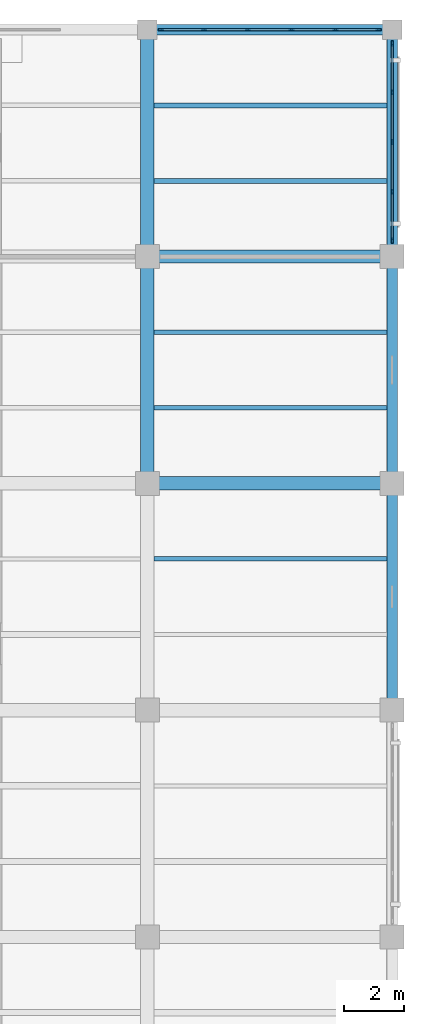
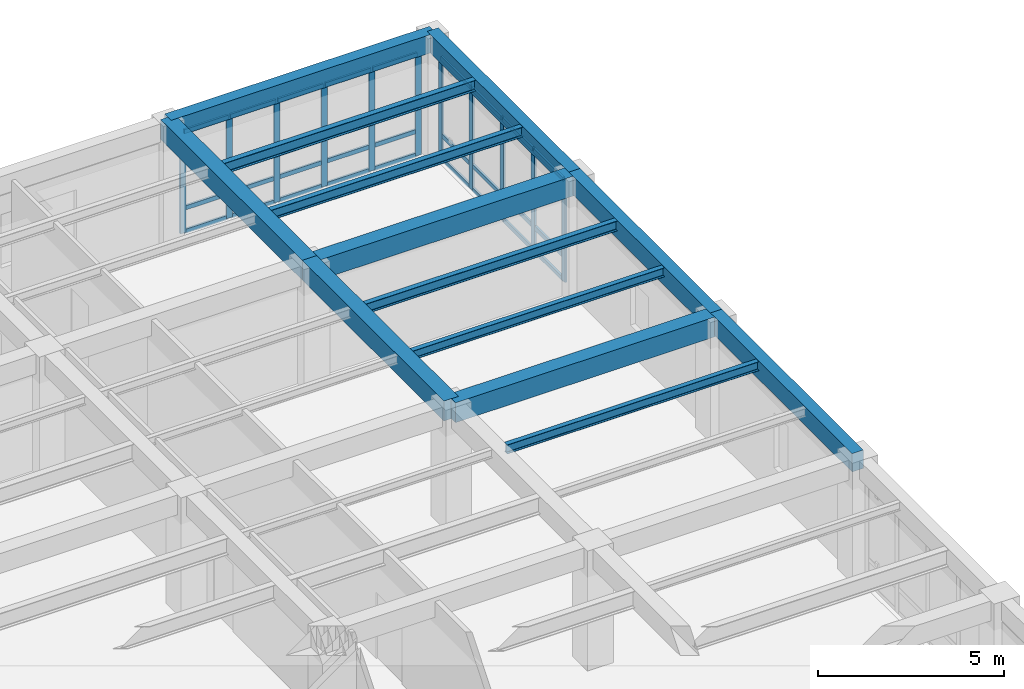
# One storey, part 5 of 14: 38 members, 13 beams, 2 elements without a shape of their own.
"""IFC4 building model written with IfcOpenShell, lengths in metres."""

from ifc_helpers import new_model, si_unit, direction, frame, origin, origin_2d, place, context, subcontext, project, spatial, rectangle, i_section, extrude, material, material_profile, profile_set, type_object, element, aggregate, save


model = new_model("IFC4")

# Units and contexts
model_context = context("Model", 3, precision=1e-05, world=origin(), true_north=direction((0.0, 1.0)))
body_context = subcontext(model_context, "Body", "Model", "MODEL_VIEW")
ifc_project = project(units=[si_unit("LENGTHUNIT", "METRE"), si_unit("AREAUNIT", "SQUARE_METRE"), si_unit("VOLUMEUNIT", "CUBIC_METRE"), si_unit("PLANEANGLEUNIT", "RADIAN"), si_unit("MASSUNIT", "GRAM", prefix="KILO")], contexts=[model_context])

# Site, building, storey
site_placement = place(None, origin())
site = spatial("IfcSite", under=ifc_project, at=site_placement, CompositionType="ELEMENT")
building_placement = place(site_placement, origin())
building = spatial("IfcBuilding", under=site, at=building_placement, Name="Qandaris Square Conservatory and Botanical Centre", CompositionType="ELEMENT")
storey_placement = place(building_placement, frame((0.0, 0.0, 40.800048828125)))
storey = spatial("IfcBuildingStorey", under=building, at=storey_placement, Name="L09", CompositionType="ELEMENT", Elevation=40.800048828125)

# Beams
ifc_material_1 = material(Name="Steel S355", Category="steel")
ifc_material_profile_1 = material_profile(ifc_material_1, i_section(OverallWidth=0.14990234375, OverallDepth=0.300048828125, WebThickness=0.007080078125, FlangeThickness=0.0107421875, FilletRadius=0.014892578125, at=origin_2d()), Name="IPE 300")
ifc_profile_set_1 = profile_set([ifc_material_profile_1], Name="Steel S355")
beam_type_1 = type_object("IfcBeamType", Name="Composite Lab Joist IPE 300", PredefinedType="JOIST", material=ifc_profile_set_1)
for number, where, z_axis, x_axis, name in (
    (1, (155.824951171875, 52.066650390625, 3.780029296875), (1.0, 0.0, 0.0), (0.0, 1.0, 0.0), "L09 Composite Joist 2427"),
    (2, (155.824951171875, 57.13330078125, 3.780029296875), (1.0, 0.0, 0.0), (0.0, 1.0, 0.0), "L09 Composite Joist 2428"),
):
    element("IfcBeam", number, at=place(storey_placement, frame(where, z_axis=z_axis, x_axis=x_axis)), inside=storey, type_object=beam_type_1, Name=name, PredefinedType="JOIST", context=body_context, shape_type="SweptSolid", body=[
        extrude(i_section(OverallWidth=0.14990234375, OverallDepth=0.300048828125, WebThickness=0.007080078125, FlangeThickness=0.0107421875, FilletRadius=0.014892578125, at=origin_2d()), origin(), (0.0, 0.0, 1.0), 7.800048828125),
    ])
ifc_material_profile_2 = material_profile(ifc_material_1, i_section(OverallWidth=0.159912109375, OverallDepth=0.330078125, WebThickness=0.007568359375, FlangeThickness=0.011474609375, FilletRadius=0.01806640625, at=origin_2d()), Name="IPE 330")
ifc_profile_set_2 = profile_set([ifc_material_profile_2], Name="Steel S355")
beam_type_2 = type_object("IfcBeamType", Name="Composite Lab Joist IPE 330", PredefinedType="JOIST", material=ifc_profile_set_2)
for number, where, z_axis, x_axis, name in (
    (3, (155.824951171875, 59.666748046875, 3.764892578125), (1.0, 0.0, 0.0), (0.0, 1.0, 0.0), "L09 Composite Joist 2429"),
    (4, (155.824951171875, 64.7333984375, 3.764892578125), (1.0, 0.0, 0.0), (0.0, 1.0, 0.0), "L09 Composite Joist 2430"),
):
    element("IfcBeam", number, at=place(storey_placement, frame(where, z_axis=z_axis, x_axis=x_axis)), inside=storey, type_object=beam_type_2, Name=name, PredefinedType="JOIST", context=body_context, shape_type="SweptSolid", body=[
        extrude(i_section(OverallWidth=0.159912109375, OverallDepth=0.330078125, WebThickness=0.007568359375, FlangeThickness=0.011474609375, FilletRadius=0.01806640625, at=origin_2d()), origin(), (0.0, 0.0, 1.0), 7.800048828125),
    ])
ifc_material_profile_3 = material_profile(ifc_material_1, i_section(OverallWidth=0.169921875, OverallDepth=0.360107421875, WebThickness=0.008056640625, FlangeThickness=0.0126953125, FilletRadius=0.01806640625, at=origin_2d()), Name="IPE 360")
ifc_profile_set_3 = profile_set([ifc_material_profile_3], Name="Steel S355")
beam_type_3 = type_object("IfcBeamType", Name="Composite Lab Joist IPE 360", PredefinedType="JOIST", material=ifc_profile_set_3)
beam_1_placement = place(storey_placement, frame((155.824951171875, 67.2666015625, 3.75), z_axis=(1.0, 0.0, 0.0), x_axis=(0.0, 1.0, 0.0)))
element("IfcBeam", 5, at=beam_1_placement, inside=storey, type_object=beam_type_3, Name="L09 Composite Joist 2431", PredefinedType="JOIST", context=body_context, shape_type="SweptSolid", body=[
    extrude(i_section(OverallWidth=0.169921875, OverallDepth=0.360107421875, WebThickness=0.008056640625, FlangeThickness=0.0126953125, FilletRadius=0.01806640625, at=origin_2d()), origin(), (0.0, 0.0, 1.0), 7.800048828125),
])

# Curtain wall, members
ifc_material_2 = material(Name="Anodised Aluminium", Category="aluminium")
curtain_wall_type_1 = type_object("IfcCurtainWallType", Name="Unitised Curtain Wall CW-4-667x334", PredefinedType="USERDEFINED", material=ifc_material_2)
curtain_wall_1_placement = place(storey_placement, origin())
curtain_wall_1 = element("IfcCurtainWall", 6, at=curtain_wall_1_placement, inside=storey, type_object=curtain_wall_type_1, Name="Curtain Wall CW-TWR-L09-2-7", ObjectType="GLAZED CURTAIN WALL", PredefinedType="USERDEFINED")
ifc_material_profile_4 = material_profile(ifc_material_2, rectangle(XDim=0.06494140625, YDim=0.179931640625, at=origin_2d()), Name="ALU-MUL 65x180")
ifc_profile_set_4 = profile_set([ifc_material_profile_4], Name="Anodised Aluminium")
member_type_1 = type_object("IfcMemberType", Name="Curtain Wall Mullion 65x180", PredefinedType="MULLION", material=ifc_profile_set_4)
member_1_placement = place(storey_placement, frame((163.800048828125, 62.732421875, 0.0), z_axis=(0.0, 0.0, 1.0), x_axis=(-1.0, 0.0, 0.0)))
member_1 = element("IfcMember", 7, at=member_1_placement, type_object=member_type_1, Name="CW-4-667x334 mullion 1", PredefinedType="MULLION", context=body_context, shape_type="SweptSolid", body=[
    extrude(rectangle(XDim=0.06494140625, YDim=0.179931640625, at=origin_2d()), origin(), (0.0, 0.0, 1.0), 3.33984375),
])
member_2_placement = place(storey_placement, frame((163.800048828125, 64.36865234375, 0.0), z_axis=(0.0, 0.0, 1.0), x_axis=(-1.0, 0.0, 0.0)))
member_2 = element("IfcMember", 8, at=member_2_placement, type_object=member_type_1, Name="CW-4-667x334 mullion 2", PredefinedType="MULLION", context=body_context, shape_type="SweptSolid", body=[
    extrude(rectangle(XDim=0.06494140625, YDim=0.179931640625, at=origin_2d()), origin(), (0.0, 0.0, 1.0), 3.33984375),
])
member_3_placement = place(storey_placement, frame((163.800048828125, 66.03759765625, 0.0), z_axis=(0.0, 0.0, 1.0), x_axis=(-1.0, 0.0, 0.0)))
member_3 = element("IfcMember", 9, at=member_3_placement, type_object=member_type_1, Name="CW-4-667x334 mullion 3", PredefinedType="MULLION", context=body_context, shape_type="SweptSolid", body=[
    extrude(rectangle(XDim=0.06494140625, YDim=0.179931640625, at=origin_2d()), origin(), (0.0, 0.0, 1.0), 3.33984375),
])
member_4_placement = place(storey_placement, frame((163.800048828125, 67.706298828125, 0.0), z_axis=(0.0, 0.0, 1.0), x_axis=(-1.0, 0.0, 0.0)))
member_4 = element("IfcMember", 10, at=member_4_placement, type_object=member_type_1, Name="CW-4-667x334 mullion 4", PredefinedType="MULLION", context=body_context, shape_type="SweptSolid", body=[
    extrude(rectangle(XDim=0.06494140625, YDim=0.179931640625, at=origin_2d()), origin(), (0.0, 0.0, 1.0), 3.33984375),
])
member_5_placement = place(storey_placement, frame((163.800048828125, 69.342529296875, 0.0), z_axis=(0.0, 0.0, 1.0), x_axis=(-1.0, 0.0, 0.0)))
member_5 = element("IfcMember", 11, at=member_5_placement, type_object=member_type_1, Name="CW-4-667x334 mullion 5", PredefinedType="MULLION", context=body_context, shape_type="SweptSolid", body=[
    extrude(rectangle(XDim=0.06494140625, YDim=0.179931640625, at=origin_2d()), origin(), (0.0, 0.0, 1.0), 3.33984375),
])

curtain_wall_type_2 = type_object("IfcCurtainWallType", Name="Unitised Curtain Wall CW-3-735x334", PredefinedType="USERDEFINED", material=ifc_material_2)
curtain_wall_2_placement = place(storey_placement, origin())
curtain_wall_2 = element("IfcCurtainWall", 12, at=curtain_wall_2_placement, inside=storey, type_object=curtain_wall_type_2, Name="Curtain Wall CW-TWR-L09-3-1", ObjectType="GLAZED CURTAIN WALL", PredefinedType="USERDEFINED")
member_6_placement = place(storey_placement, frame((163.342529296875, 69.800048828125, 0.0), z_axis=(0.0, 0.0, 1.0), x_axis=(0.0, -1.0, 0.0)))
member_6 = element("IfcMember", 13, at=member_6_placement, type_object=member_type_1, Name="CW-3-735x334 mullion 1", PredefinedType="MULLION", context=body_context, shape_type="SweptSolid", body=[
    extrude(rectangle(XDim=0.06494140625, YDim=0.179931640625, at=origin_2d()), origin(), (0.0, 0.0, 1.0), 3.33984375),
])
member_7_placement = place(storey_placement, frame((161.905029296875, 69.800048828125, 0.0), z_axis=(0.0, 0.0, 1.0), x_axis=(0.0, -1.0, 0.0)))
member_7 = element("IfcMember", 14, at=member_7_placement, type_object=member_type_1, Name="CW-3-735x334 mullion 2", PredefinedType="MULLION", context=body_context, shape_type="SweptSolid", body=[
    extrude(rectangle(XDim=0.06494140625, YDim=0.179931640625, at=origin_2d()), origin(), (0.0, 0.0, 1.0), 3.33984375),
])
member_8_placement = place(storey_placement, frame((160.43505859375, 69.800048828125, 0.0), z_axis=(0.0, 0.0, 1.0), x_axis=(0.0, -1.0, 0.0)))
member_8 = element("IfcMember", 15, at=member_8_placement, type_object=member_type_1, Name="CW-3-735x334 mullion 3", PredefinedType="MULLION", context=body_context, shape_type="SweptSolid", body=[
    extrude(rectangle(XDim=0.06494140625, YDim=0.179931640625, at=origin_2d()), origin(), (0.0, 0.0, 1.0), 3.33984375),
])
member_9_placement = place(storey_placement, frame((158.965087890625, 69.800048828125, 0.0), z_axis=(0.0, 0.0, 1.0), x_axis=(0.0, -1.0, 0.0)))
member_9 = element("IfcMember", 16, at=member_9_placement, type_object=member_type_1, Name="CW-3-735x334 mullion 4", PredefinedType="MULLION", context=body_context, shape_type="SweptSolid", body=[
    extrude(rectangle(XDim=0.06494140625, YDim=0.179931640625, at=origin_2d()), origin(), (0.0, 0.0, 1.0), 3.33984375),
])
member_10_placement = place(storey_placement, frame((157.4951171875, 69.800048828125, 0.0), z_axis=(0.0, 0.0, 1.0), x_axis=(0.0, -1.0, 0.0)))
member_10 = element("IfcMember", 17, at=member_10_placement, type_object=member_type_1, Name="CW-3-735x334 mullion 5", PredefinedType="MULLION", context=body_context, shape_type="SweptSolid", body=[
    extrude(rectangle(XDim=0.06494140625, YDim=0.179931640625, at=origin_2d()), origin(), (0.0, 0.0, 1.0), 3.33984375),
])
member_11_placement = place(storey_placement, frame((156.0576171875, 69.800048828125, 0.0), z_axis=(0.0, 0.0, 1.0), x_axis=(0.0, -1.0, 0.0)))
member_11 = element("IfcMember", 18, at=member_11_placement, type_object=member_type_1, Name="CW-3-735x334 mullion 6", PredefinedType="MULLION", context=body_context, shape_type="SweptSolid", body=[
    extrude(rectangle(XDim=0.06494140625, YDim=0.179931640625, at=origin_2d()), origin(), (0.0, 0.0, 1.0), 3.33984375),
])

# Member
ifc_material_profile_5 = material_profile(ifc_material_2, rectangle(XDim=0.06494140625, YDim=0.139892578125, at=origin_2d()), Name="ALU-TRN 65x140")
ifc_profile_set_5 = profile_set([ifc_material_profile_5], Name="Anodised Aluminium")
member_type_2 = type_object("IfcMemberType", Name="Curtain Wall Transom 65x140", PredefinedType="USERDEFINED", material=ifc_profile_set_5)
member_12_placement = place(storey_placement, frame((163.800048828125, 62.764892578125, 0.032470703125), z_axis=(0.0, 1.0, 0.0), x_axis=(-1.0, 0.0, 0.0)))
member_12 = element("IfcMember", 19, at=member_12_placement, type_object=member_type_2, Name="CW-4-667x334 transom 1.1", ObjectType="TRANSOM", PredefinedType="USERDEFINED", context=body_context, shape_type="SweptSolid", body=[
    extrude(rectangle(XDim=0.06494140625, YDim=0.139892578125, at=origin_2d()), origin(), (0.0, 0.0, 1.0), 1.5712890625),
])

member_13_placement = place(storey_placement, frame((163.800048828125, 62.764892578125, 0.801513671875), z_axis=(0.0, 1.0, 0.0), x_axis=(-1.0, 0.0, 0.0)))
member_13 = element("IfcMember", 20, at=member_13_placement, type_object=member_type_2, Name="CW-4-667x334 transom 1.2", ObjectType="TRANSOM", PredefinedType="USERDEFINED", context=body_context, shape_type="SweptSolid", body=[
    extrude(rectangle(XDim=0.06494140625, YDim=0.139892578125, at=origin_2d()), origin(), (0.0, 0.0, 1.0), 1.5712890625),
])

member_14_placement = place(storey_placement, frame((163.800048828125, 62.764892578125, 3.307373046875), z_axis=(0.0, 1.0, 0.0), x_axis=(-1.0, 0.0, 0.0)))
member_14 = element("IfcMember", 21, at=member_14_placement, type_object=member_type_2, Name="CW-4-667x334 transom 1.3", ObjectType="TRANSOM", PredefinedType="USERDEFINED", context=body_context, shape_type="SweptSolid", body=[
    extrude(rectangle(XDim=0.06494140625, YDim=0.139892578125, at=origin_2d()), origin(), (0.0, 0.0, 1.0), 1.5712890625),
])

member_15_placement = place(storey_placement, frame((163.800048828125, 64.4013671875, 0.032470703125), z_axis=(0.0, 1.0, 0.0), x_axis=(-1.0, 0.0, 0.0)))
member_15 = element("IfcMember", 22, at=member_15_placement, type_object=member_type_2, Name="CW-4-667x334 transom 2.1", ObjectType="TRANSOM", PredefinedType="USERDEFINED", context=body_context, shape_type="SweptSolid", body=[
    extrude(rectangle(XDim=0.06494140625, YDim=0.139892578125, at=origin_2d()), origin(), (0.0, 0.0, 1.0), 1.603515625),
])

member_16_placement = place(storey_placement, frame((163.800048828125, 64.4013671875, 0.801513671875), z_axis=(0.0, 1.0, 0.0), x_axis=(-1.0, 0.0, 0.0)))
member_16 = element("IfcMember", 23, at=member_16_placement, type_object=member_type_2, Name="CW-4-667x334 transom 2.2", ObjectType="TRANSOM", PredefinedType="USERDEFINED", context=body_context, shape_type="SweptSolid", body=[
    extrude(rectangle(XDim=0.06494140625, YDim=0.139892578125, at=origin_2d()), origin(), (0.0, 0.0, 1.0), 1.603515625),
])

member_17_placement = place(storey_placement, frame((163.800048828125, 64.4013671875, 3.307373046875), z_axis=(0.0, 1.0, 0.0), x_axis=(-1.0, 0.0, 0.0)))
member_17 = element("IfcMember", 24, at=member_17_placement, type_object=member_type_2, Name="CW-4-667x334 transom 2.3", ObjectType="TRANSOM", PredefinedType="USERDEFINED", context=body_context, shape_type="SweptSolid", body=[
    extrude(rectangle(XDim=0.06494140625, YDim=0.139892578125, at=origin_2d()), origin(), (0.0, 0.0, 1.0), 1.603515625),
])

member_18_placement = place(storey_placement, frame((163.800048828125, 66.070068359375, 0.032470703125), z_axis=(0.0, 1.0, 0.0), x_axis=(-1.0, 0.0, 0.0)))
member_18 = element("IfcMember", 25, at=member_18_placement, type_object=member_type_2, Name="CW-4-667x334 transom 3.1", ObjectType="TRANSOM", PredefinedType="USERDEFINED", context=body_context, shape_type="SweptSolid", body=[
    extrude(rectangle(XDim=0.06494140625, YDim=0.139892578125, at=origin_2d()), origin(), (0.0, 0.0, 1.0), 1.603759765625),
])

member_19_placement = place(storey_placement, frame((163.800048828125, 66.070068359375, 0.801513671875), z_axis=(0.0, 1.0, 0.0), x_axis=(-1.0, 0.0, 0.0)))
member_19 = element("IfcMember", 26, at=member_19_placement, type_object=member_type_2, Name="CW-4-667x334 transom 3.2", ObjectType="TRANSOM", PredefinedType="USERDEFINED", context=body_context, shape_type="SweptSolid", body=[
    extrude(rectangle(XDim=0.06494140625, YDim=0.139892578125, at=origin_2d()), origin(), (0.0, 0.0, 1.0), 1.603759765625),
])

member_20_placement = place(storey_placement, frame((163.800048828125, 66.070068359375, 3.307373046875), z_axis=(0.0, 1.0, 0.0), x_axis=(-1.0, 0.0, 0.0)))
member_20 = element("IfcMember", 27, at=member_20_placement, type_object=member_type_2, Name="CW-4-667x334 transom 3.3", ObjectType="TRANSOM", PredefinedType="USERDEFINED", context=body_context, shape_type="SweptSolid", body=[
    extrude(rectangle(XDim=0.06494140625, YDim=0.139892578125, at=origin_2d()), origin(), (0.0, 0.0, 1.0), 1.603759765625),
])

member_21_placement = place(storey_placement, frame((163.800048828125, 67.73876953125, 0.032470703125), z_axis=(0.0, 1.0, 0.0), x_axis=(-1.0, 0.0, 0.0)))
member_21 = element("IfcMember", 28, at=member_21_placement, type_object=member_type_2, Name="CW-4-667x334 transom 4.1", ObjectType="TRANSOM", PredefinedType="USERDEFINED", context=body_context, shape_type="SweptSolid", body=[
    extrude(rectangle(XDim=0.06494140625, YDim=0.139892578125, at=origin_2d()), origin(), (0.0, 0.0, 1.0), 1.5712890625),
])

member_22_placement = place(storey_placement, frame((163.800048828125, 67.73876953125, 0.801513671875), z_axis=(0.0, 1.0, 0.0), x_axis=(-1.0, 0.0, 0.0)))
member_22 = element("IfcMember", 29, at=member_22_placement, type_object=member_type_2, Name="CW-4-667x334 transom 4.2", ObjectType="TRANSOM", PredefinedType="USERDEFINED", context=body_context, shape_type="SweptSolid", body=[
    extrude(rectangle(XDim=0.06494140625, YDim=0.139892578125, at=origin_2d()), origin(), (0.0, 0.0, 1.0), 1.5712890625),
])

member_23_placement = place(storey_placement, frame((163.800048828125, 67.73876953125, 3.307373046875), z_axis=(0.0, 1.0, 0.0), x_axis=(-1.0, 0.0, 0.0)))
member_23 = element("IfcMember", 30, at=member_23_placement, type_object=member_type_2, Name="CW-4-667x334 transom 4.3", ObjectType="TRANSOM", PredefinedType="USERDEFINED", context=body_context, shape_type="SweptSolid", body=[
    extrude(rectangle(XDim=0.06494140625, YDim=0.139892578125, at=origin_2d()), origin(), (0.0, 0.0, 1.0), 1.5712890625),
])

aggregate(curtain_wall_1, [member_1, member_2, member_3, member_4, member_5, member_12, member_13, member_14, member_15, member_16, member_17, member_18, member_19, member_20, member_21, member_22, member_23])

member_24_placement = place(storey_placement, frame((163.31005859375, 69.800048828125, 0.032470703125), z_axis=(-1.0, 0.0, 0.0), x_axis=(0.0, -1.0, 0.0)))
member_24 = element("IfcMember", 31, at=member_24_placement, type_object=member_type_2, Name="CW-3-735x334 transom 1.1", ObjectType="TRANSOM", PredefinedType="USERDEFINED", context=body_context, shape_type="SweptSolid", body=[
    extrude(rectangle(XDim=0.06494140625, YDim=0.139892578125, at=origin_2d()), origin(), (0.0, 0.0, 1.0), 1.37255859375),
])

member_25_placement = place(storey_placement, frame((163.31005859375, 69.800048828125, 0.801513671875), z_axis=(-1.0, 0.0, 0.0), x_axis=(0.0, -1.0, 0.0)))
member_25 = element("IfcMember", 32, at=member_25_placement, type_object=member_type_2, Name="CW-3-735x334 transom 1.2", ObjectType="TRANSOM", PredefinedType="USERDEFINED", context=body_context, shape_type="SweptSolid", body=[
    extrude(rectangle(XDim=0.06494140625, YDim=0.139892578125, at=origin_2d()), origin(), (0.0, 0.0, 1.0), 1.37255859375),
])

member_26_placement = place(storey_placement, frame((163.31005859375, 69.800048828125, 3.307373046875), z_axis=(-1.0, 0.0, 0.0), x_axis=(0.0, -1.0, 0.0)))
member_26 = element("IfcMember", 33, at=member_26_placement, type_object=member_type_2, Name="CW-3-735x334 transom 1.3", ObjectType="TRANSOM", PredefinedType="USERDEFINED", context=body_context, shape_type="SweptSolid", body=[
    extrude(rectangle(XDim=0.06494140625, YDim=0.139892578125, at=origin_2d()), origin(), (0.0, 0.0, 1.0), 1.37255859375),
])

member_27_placement = place(storey_placement, frame((161.87255859375, 69.800048828125, 0.032470703125), z_axis=(-1.0, 0.0, 0.0), x_axis=(0.0, -1.0, 0.0)))
member_27 = element("IfcMember", 34, at=member_27_placement, type_object=member_type_2, Name="CW-3-735x334 transom 2.1", ObjectType="TRANSOM", PredefinedType="USERDEFINED", context=body_context, shape_type="SweptSolid", body=[
    extrude(rectangle(XDim=0.06494140625, YDim=0.139892578125, at=origin_2d()), origin(), (0.0, 0.0, 1.0), 1.405029296875),
])

member_28_placement = place(storey_placement, frame((161.87255859375, 69.800048828125, 0.801513671875), z_axis=(-1.0, 0.0, 0.0), x_axis=(0.0, -1.0, 0.0)))
member_28 = element("IfcMember", 35, at=member_28_placement, type_object=member_type_2, Name="CW-3-735x334 transom 2.2", ObjectType="TRANSOM", PredefinedType="USERDEFINED", context=body_context, shape_type="SweptSolid", body=[
    extrude(rectangle(XDim=0.06494140625, YDim=0.139892578125, at=origin_2d()), origin(), (0.0, 0.0, 1.0), 1.405029296875),
])

member_29_placement = place(storey_placement, frame((161.87255859375, 69.800048828125, 3.307373046875), z_axis=(-1.0, 0.0, 0.0), x_axis=(0.0, -1.0, 0.0)))
member_29 = element("IfcMember", 36, at=member_29_placement, type_object=member_type_2, Name="CW-3-735x334 transom 2.3", ObjectType="TRANSOM", PredefinedType="USERDEFINED", context=body_context, shape_type="SweptSolid", body=[
    extrude(rectangle(XDim=0.06494140625, YDim=0.139892578125, at=origin_2d()), origin(), (0.0, 0.0, 1.0), 1.405029296875),
])

member_30_placement = place(storey_placement, frame((160.402587890625, 69.800048828125, 0.032470703125), z_axis=(-1.0, 0.0, 0.0), x_axis=(0.0, -1.0, 0.0)))
member_30 = element("IfcMember", 37, at=member_30_placement, type_object=member_type_2, Name="CW-3-735x334 transom 3.1", ObjectType="TRANSOM", PredefinedType="USERDEFINED", context=body_context, shape_type="SweptSolid", body=[
    extrude(rectangle(XDim=0.06494140625, YDim=0.139892578125, at=origin_2d()), origin(), (0.0, 0.0, 1.0), 1.405029296875),
])

member_31_placement = place(storey_placement, frame((160.402587890625, 69.800048828125, 0.801513671875), z_axis=(-1.0, 0.0, 0.0), x_axis=(0.0, -1.0, 0.0)))
member_31 = element("IfcMember", 38, at=member_31_placement, type_object=member_type_2, Name="CW-3-735x334 transom 3.2", ObjectType="TRANSOM", PredefinedType="USERDEFINED", context=body_context, shape_type="SweptSolid", body=[
    extrude(rectangle(XDim=0.06494140625, YDim=0.139892578125, at=origin_2d()), origin(), (0.0, 0.0, 1.0), 1.405029296875),
])

member_32_placement = place(storey_placement, frame((160.402587890625, 69.800048828125, 3.307373046875), z_axis=(-1.0, 0.0, 0.0), x_axis=(0.0, -1.0, 0.0)))
member_32 = element("IfcMember", 39, at=member_32_placement, type_object=member_type_2, Name="CW-3-735x334 transom 3.3", ObjectType="TRANSOM", PredefinedType="USERDEFINED", context=body_context, shape_type="SweptSolid", body=[
    extrude(rectangle(XDim=0.06494140625, YDim=0.139892578125, at=origin_2d()), origin(), (0.0, 0.0, 1.0), 1.405029296875),
])

member_33_placement = place(storey_placement, frame((158.9326171875, 69.800048828125, 0.032470703125), z_axis=(-1.0, 0.0, 0.0), x_axis=(0.0, -1.0, 0.0)))
member_33 = element("IfcMember", 40, at=member_33_placement, type_object=member_type_2, Name="CW-3-735x334 transom 4.1", ObjectType="TRANSOM", PredefinedType="USERDEFINED", context=body_context, shape_type="SweptSolid", body=[
    extrude(rectangle(XDim=0.06494140625, YDim=0.139892578125, at=origin_2d()), origin(), (0.0, 0.0, 1.0), 1.405029296875),
])

member_34_placement = place(storey_placement, frame((158.9326171875, 69.800048828125, 0.801513671875), z_axis=(-1.0, 0.0, 0.0), x_axis=(0.0, -1.0, 0.0)))
member_34 = element("IfcMember", 41, at=member_34_placement, type_object=member_type_2, Name="CW-3-735x334 transom 4.2", ObjectType="TRANSOM", PredefinedType="USERDEFINED", context=body_context, shape_type="SweptSolid", body=[
    extrude(rectangle(XDim=0.06494140625, YDim=0.139892578125, at=origin_2d()), origin(), (0.0, 0.0, 1.0), 1.405029296875),
])

member_35_placement = place(storey_placement, frame((158.9326171875, 69.800048828125, 3.307373046875), z_axis=(-1.0, 0.0, 0.0), x_axis=(0.0, -1.0, 0.0)))
member_35 = element("IfcMember", 42, at=member_35_placement, type_object=member_type_2, Name="CW-3-735x334 transom 4.3", ObjectType="TRANSOM", PredefinedType="USERDEFINED", context=body_context, shape_type="SweptSolid", body=[
    extrude(rectangle(XDim=0.06494140625, YDim=0.139892578125, at=origin_2d()), origin(), (0.0, 0.0, 1.0), 1.405029296875),
])

member_36_placement = place(storey_placement, frame((157.46240234375, 69.800048828125, 0.032470703125), z_axis=(-1.0, 0.0, 0.0), x_axis=(0.0, -1.0, 0.0)))
member_36 = element("IfcMember", 43, at=member_36_placement, type_object=member_type_2, Name="CW-3-735x334 transom 5.1", ObjectType="TRANSOM", PredefinedType="USERDEFINED", context=body_context, shape_type="SweptSolid", body=[
    extrude(rectangle(XDim=0.06494140625, YDim=0.139892578125, at=origin_2d()), origin(), (0.0, 0.0, 1.0), 1.372314453125),
])

member_37_placement = place(storey_placement, frame((157.46240234375, 69.800048828125, 0.801513671875), z_axis=(-1.0, 0.0, 0.0), x_axis=(0.0, -1.0, 0.0)))
member_37 = element("IfcMember", 44, at=member_37_placement, type_object=member_type_2, Name="CW-3-735x334 transom 5.2", ObjectType="TRANSOM", PredefinedType="USERDEFINED", context=body_context, shape_type="SweptSolid", body=[
    extrude(rectangle(XDim=0.06494140625, YDim=0.139892578125, at=origin_2d()), origin(), (0.0, 0.0, 1.0), 1.372314453125),
])

member_38_placement = place(storey_placement, frame((157.46240234375, 69.800048828125, 3.307373046875), z_axis=(-1.0, 0.0, 0.0), x_axis=(0.0, -1.0, 0.0)))
member_38 = element("IfcMember", 45, at=member_38_placement, type_object=member_type_2, Name="CW-3-735x334 transom 5.3", ObjectType="TRANSOM", PredefinedType="USERDEFINED", context=body_context, shape_type="SweptSolid", body=[
    extrude(rectangle(XDim=0.06494140625, YDim=0.139892578125, at=origin_2d()), origin(), (0.0, 0.0, 1.0), 1.372314453125),
])

aggregate(curtain_wall_2, [member_6, member_7, member_8, member_9, member_10, member_11, member_24, member_25, member_26, member_27, member_28, member_29, member_30, member_31, member_32, member_33, member_34, member_35, member_36, member_37, member_38])

# Beams
ifc_material_3 = material(Name="Concrete C50/60", Category="concrete")
ifc_material_profile_6 = material_profile(ifc_material_3, rectangle(XDim=0.35009765625, YDim=0.60009765625, at=origin_2d()), Name="RC-SP 350x600")
ifc_profile_set_6 = profile_set([ifc_material_profile_6], Name="Concrete C50/60")
beam_type_4 = type_object("IfcBeamType", Name="RC Edge Spandrel Beam 350x600", PredefinedType="SPANDREL", material=ifc_profile_set_6)
beam_2_placement = place(storey_placement, frame((155.60009765625, 69.800048828125, 3.639892578125), z_axis=(1.0, 0.0, 0.0), x_axis=(0.0, 1.0, 0.0)))
element("IfcBeam", 46, at=beam_2_placement, inside=storey, type_object=beam_type_4, Name="L09 Frame Beam 2351", PredefinedType="SPANDREL", context=body_context, shape_type="SweptSolid", body=[
    extrude(rectangle(XDim=0.35009765625, YDim=0.60009765625, at=origin_2d()), origin(), (0.0, 0.0, 1.0), 8.199951171875),
])
beam_3_placement = place(storey_placement, frame((163.800048828125, 47.0, 3.639892578125), z_axis=(0.0, 1.0, 0.0), x_axis=(-1.0, 0.0, 0.0)))
element("IfcBeam", 47, at=beam_3_placement, inside=storey, type_object=beam_type_4, Name="L09 Frame Beam 2383", PredefinedType="SPANDREL", context=body_context, shape_type="SweptSolid", body=[
    extrude(rectangle(XDim=0.35009765625, YDim=0.60009765625, at=origin_2d()), origin(), (0.0, 0.0, 1.0), 7.60009765625),
])
beam_4_placement = place(storey_placement, frame((163.800048828125, 54.60009765625, 3.639892578125), z_axis=(0.0, 1.0, 0.0), x_axis=(-1.0, 0.0, 0.0)))
element("IfcBeam", 48, at=beam_4_placement, inside=storey, type_object=beam_type_4, Name="L09 Frame Beam 2384", PredefinedType="SPANDREL", context=body_context, shape_type="SweptSolid", body=[
    extrude(rectangle(XDim=0.35009765625, YDim=0.60009765625, at=origin_2d()), origin(), (0.0, 0.0, 1.0), 7.599853515625),
])
beam_5_placement = place(storey_placement, frame((163.800048828125, 62.199951171875, 3.639892578125), z_axis=(0.0, 1.0, 0.0), x_axis=(-1.0, 0.0, 0.0)))
element("IfcBeam", 49, at=beam_5_placement, inside=storey, type_object=beam_type_4, Name="L09 Frame Beam 2385", PredefinedType="SPANDREL", context=body_context, shape_type="SweptSolid", body=[
    extrude(rectangle(XDim=0.35009765625, YDim=0.60009765625, at=origin_2d()), origin(), (0.0, 0.0, 1.0), 7.60009765625),
])
ifc_material_profile_7 = material_profile(ifc_material_3, rectangle(XDim=0.449951171875, YDim=0.64990234375, at=origin_2d()), Name="RC-BM 450x650")
ifc_profile_set_7 = profile_set([ifc_material_profile_7], Name="Concrete C50/60")
beam_type_5 = type_object("IfcBeamType", Name="RC Floor Girder 450x650", PredefinedType="BEAM", material=ifc_profile_set_7)
for number, where, z_axis, x_axis, name in (
    (50, (155.60009765625, 54.60009765625, 3.614990234375), (1.0, 0.0, 0.0), (0.0, 1.0, 0.0), "L09 Frame Beam 2345"),
    (51, (155.60009765625, 62.199951171875, 3.614990234375), (1.0, 0.0, 0.0), (0.0, 1.0, 0.0), "L09 Frame Beam 2348"),
):
    element("IfcBeam", number, at=place(storey_placement, frame(where, z_axis=z_axis, x_axis=x_axis)), inside=storey, type_object=beam_type_5, Name=name, PredefinedType="BEAM", context=body_context, shape_type="SweptSolid", body=[
        extrude(rectangle(XDim=0.449951171875, YDim=0.64990234375, at=origin_2d()), origin(), (0.0, 0.0, 1.0), 8.199951171875),
    ])
beam_6_placement = place(storey_placement, frame((155.60009765625, 54.60009765625, 3.614990234375), z_axis=(0.0, 1.0, 0.0), x_axis=(-1.0, 0.0, 0.0)))
element("IfcBeam", 52, at=beam_6_placement, inside=storey, type_object=beam_type_5, Name="L09 Frame Beam 2377", PredefinedType="BEAM", context=body_context, shape_type="SweptSolid", body=[
    extrude(rectangle(XDim=0.449951171875, YDim=0.64990234375, at=origin_2d()), origin(), (0.0, 0.0, 1.0), 7.599853515625),
])
beam_7_placement = place(storey_placement, frame((155.60009765625, 62.199951171875, 3.614990234375), z_axis=(0.0, 1.0, 0.0), x_axis=(-1.0, 0.0, 0.0)))
element("IfcBeam", 53, at=beam_7_placement, inside=storey, type_object=beam_type_5, Name="L09 Frame Beam 2378", PredefinedType="BEAM", context=body_context, shape_type="SweptSolid", body=[
    extrude(rectangle(XDim=0.449951171875, YDim=0.64990234375, at=origin_2d()), origin(), (0.0, 0.0, 1.0), 7.60009765625),
])

save(model, "model.ifc")
